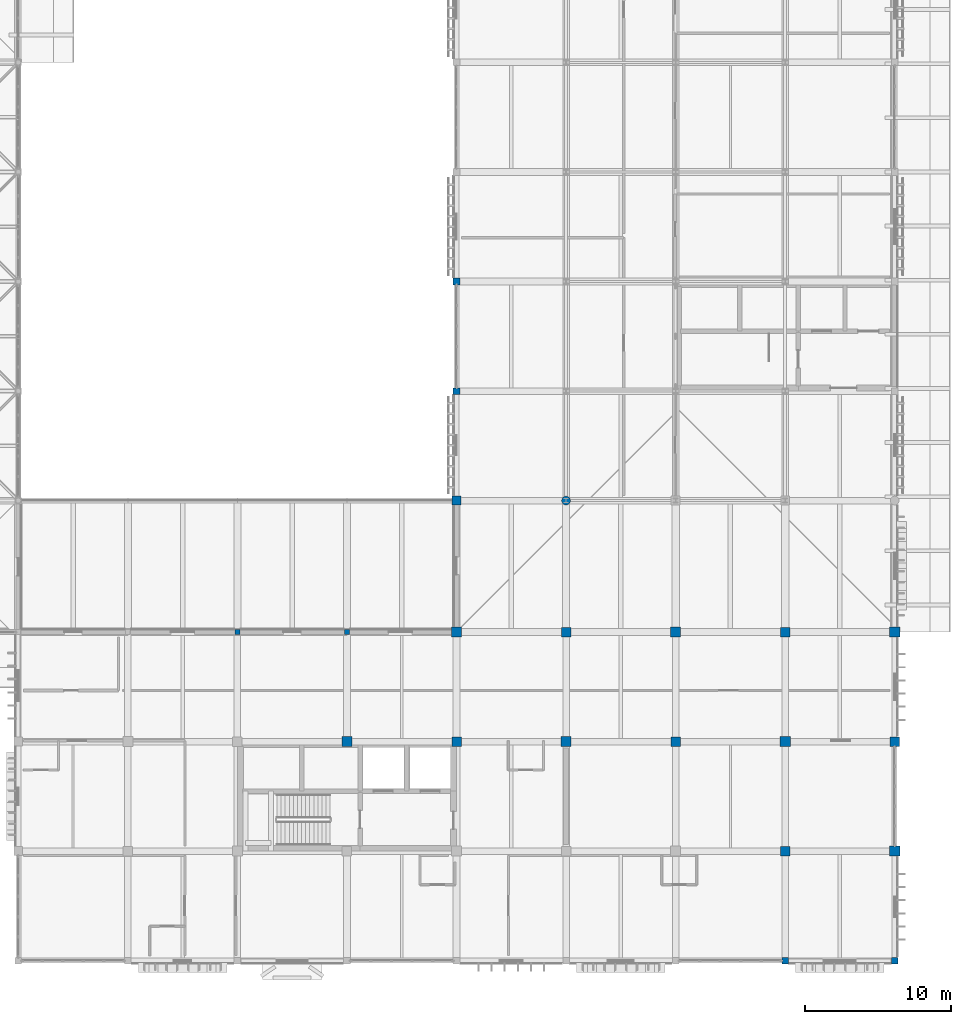
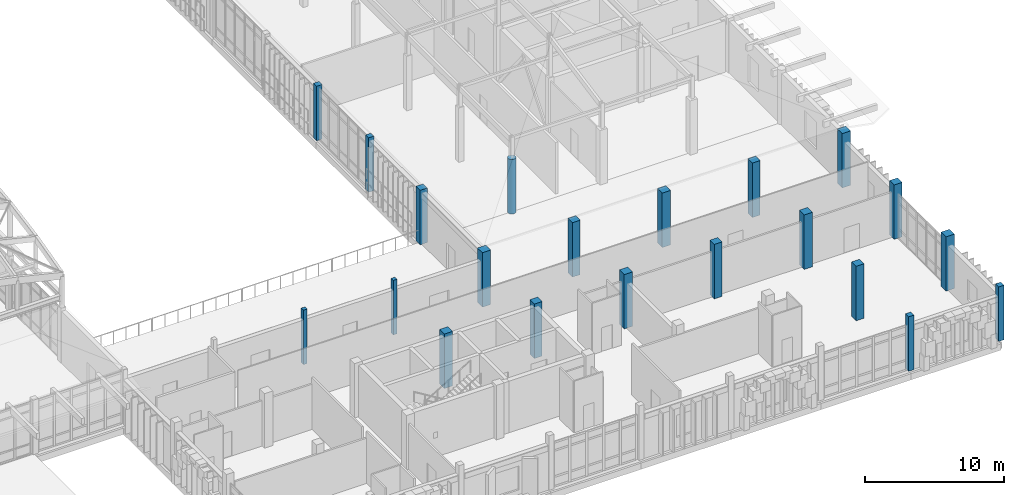
# One storey, part 11 of 131: 21 columns.
"""IFC4 building model written with IfcOpenShell, lengths in metres."""

from ifc_helpers import new_model, si_unit, direction, frame, origin, origin_2d, place, context, subcontext, project, spatial, rectangle, circle, extrude, material, material_profile, profile_set, type_object, element, save


model = new_model("IFC4")

# Units and contexts
model_context = context("Model", 3, precision=1e-05, world=origin(), true_north=direction((0.0, 1.0)))
body_context = subcontext(model_context, "Body", "Model", "MODEL_VIEW")
ifc_project = project(units=[si_unit("LENGTHUNIT", "METRE"), si_unit("AREAUNIT", "SQUARE_METRE"), si_unit("VOLUMEUNIT", "CUBIC_METRE"), si_unit("PLANEANGLEUNIT", "RADIAN"), si_unit("MASSUNIT", "GRAM", prefix="KILO")], contexts=[model_context])

# Site, building, storey
site_placement = place(None, origin())
site = spatial("IfcSite", under=ifc_project, at=site_placement, CompositionType="ELEMENT")
building_placement = place(site_placement, origin())
building = spatial("IfcBuilding", under=site, at=building_placement, Name="Dalvernix Boulevard General Hospital", CompositionType="ELEMENT")
storey_placement = place(building_placement, frame((0.0, 0.0, 9.300048828125)))
storey = spatial("IfcBuildingStorey", under=building, at=storey_placement, Name="L02", CompositionType="ELEMENT", Elevation=9.300048828125)

# Columns
ifc_material_1 = material(Name="Concrete C40/50", Category="concrete")
ifc_material_profile_1 = material_profile(ifc_material_1, rectangle(XDim=0.699951171875, YDim=0.699951171875, at=origin_2d()), Name="RC 700x700")
ifc_profile_set_1 = profile_set([ifc_material_profile_1], Name="Concrete C40/50")
column_type_1 = type_object("IfcColumnType", Name="COL-C-05-E", PredefinedType="COLUMN", material=ifc_profile_set_1)
for number, where, z_axis, x_axis, name in (
    (1, (142.5, 22.5, 0.0), (0.0, 0.0, 1.0), (1.0, 0.0, 0.0), "L02 column 20D"),
    (2, (172.5, 7.5, 0.0), (0.0, 0.0, 1.0), (1.0, 0.0, 0.0), "L02 column 24B"),
    (3, (172.5, 22.5, 0.0), (0.0, 0.0, 1.0), (1.0, 0.0, 0.0), "L02 column 24D"),
):
    element("IfcColumn", number, at=place(storey_placement, frame(where, z_axis=z_axis, x_axis=x_axis)), inside=storey, type_object=column_type_1, Name=name, PredefinedType="COLUMN", context=body_context, shape_type="SweptSolid", body=[
        extrude(rectangle(XDim=0.699951171875, YDim=0.699951171875, at=origin_2d()), origin(), (0.0, 0.0, 1.0), 4.800048828125),
    ])
ifc_material_profile_2 = material_profile(ifc_material_1, rectangle(XDim=0.699951171875, YDim=0.699951171875, at=origin_2d()), Name="RC 700x700")
ifc_profile_set_2 = profile_set([ifc_material_profile_2], Name="Concrete C40/50")
column_type_2 = type_object("IfcColumnType", Name="COL-C-05-I", PredefinedType="COLUMN", material=ifc_profile_set_2)
for number, where, z_axis, x_axis, name in (
    (4, (135.0, 15.0, 0.0), (0.0, 0.0, 1.0), (1.0, 0.0, 0.0), "L02 column 19C"),
    (5, (150.0, 15.0, 0.0), (0.0, 0.0, 1.0), (1.0, 0.0, 0.0), "L02 column 21C"),
    (6, (157.5, 22.5, 0.0), (0.0, 0.0, 1.0), (1.0, 0.0, 0.0), "L02 column 22D"),
    (7, (165.0, 15.0, 0.0), (0.0, 0.0, 1.0), (1.0, 0.0, 0.0), "L02 column 23C"),
):
    element("IfcColumn", number, at=place(storey_placement, frame(where, z_axis=z_axis, x_axis=x_axis)), inside=storey, type_object=column_type_2, Name=name, PredefinedType="COLUMN", context=body_context, shape_type="SweptSolid", body=[
        extrude(rectangle(XDim=0.699951171875, YDim=0.699951171875, at=origin_2d()), origin(), (0.0, 0.0, 1.0), 4.800048828125),
    ])
ifc_material_profile_3 = material_profile(ifc_material_1, rectangle(XDim=0.64990234375, YDim=0.64990234375, at=origin_2d()), Name="RC 650x650")
ifc_profile_set_3 = profile_set([ifc_material_profile_3], Name="Concrete C40/50")
column_type_3 = type_object("IfcColumnType", Name="COL-C-06-E", PredefinedType="COLUMN", material=ifc_profile_set_3)
column_1_placement = place(storey_placement, frame((172.5, 15.0, 0.0), z_axis=(0.0, 0.0, 1.0), x_axis=(1.0, 0.0, 0.0)))
element("IfcColumn", 8, at=column_1_placement, inside=storey, type_object=column_type_3, Name="L02 column 24C", PredefinedType="COLUMN", context=body_context, shape_type="SweptSolid", body=[
    extrude(rectangle(XDim=0.64990234375, YDim=0.64990234375, at=origin_2d()), origin(), (0.0, 0.0, 1.0), 4.800048828125),
])
ifc_material_profile_4 = material_profile(ifc_material_1, rectangle(XDim=0.64990234375, YDim=0.64990234375, at=origin_2d()), Name="RC 650x650")
ifc_profile_set_4 = profile_set([ifc_material_profile_4], Name="Concrete C40/50")
column_type_4 = type_object("IfcColumnType", Name="COL-C-06-I", PredefinedType="COLUMN", material=ifc_profile_set_4)
for number, where, z_axis, x_axis, name in (
    (9, (142.5, 15.0, 0.0), (0.0, 0.0, 1.0), (1.0, 0.0, 0.0), "L02 column 20C"),
    (10, (150.0, 22.5, 0.0), (0.0, 0.0, 1.0), (1.0, 0.0, 0.0), "L02 column 21D"),
    (11, (157.5, 15.0, 0.0), (0.0, 0.0, 1.0), (1.0, 0.0, 0.0), "L02 column 22C"),
    (12, (165.0, 7.5, 0.0), (0.0, 0.0, 1.0), (1.0, 0.0, 0.0), "L02 column 23B"),
    (13, (165.0, 22.5, 0.0), (0.0, 0.0, 1.0), (1.0, 0.0, 0.0), "L02 column 23D"),
):
    element("IfcColumn", number, at=place(storey_placement, frame(where, z_axis=z_axis, x_axis=x_axis)), inside=storey, type_object=column_type_4, Name=name, PredefinedType="COLUMN", context=body_context, shape_type="SweptSolid", body=[
        extrude(rectangle(XDim=0.64990234375, YDim=0.64990234375, at=origin_2d()), origin(), (0.0, 0.0, 1.0), 4.800048828125),
    ])
ifc_material_profile_5 = material_profile(ifc_material_1, rectangle(XDim=0.60009765625, YDim=0.60009765625, at=origin_2d()), Name="RC 600x600")
ifc_profile_set_5 = profile_set([ifc_material_profile_5], Name="Concrete C40/50")
column_type_5 = type_object("IfcColumnType", Name="COL-C-07-E", PredefinedType="COLUMN", material=ifc_profile_set_5)
column_2_placement = place(storey_placement, frame((142.5, 31.5, 0.0), z_axis=(0.0, 0.0, 1.0), x_axis=(1.0, 0.0, 0.0)))
element("IfcColumn", 14, at=column_2_placement, inside=storey, type_object=column_type_5, Name="L02 column 20E", PredefinedType="COLUMN", context=body_context, shape_type="SweptSolid", body=[
    extrude(rectangle(XDim=0.60009765625, YDim=0.60009765625, at=origin_2d()), origin(), (0.0, 0.0, 1.0), 4.800048828125),
])
ifc_material_profile_6 = material_profile(ifc_material_1, rectangle(XDim=0.449951171875, YDim=0.449951171875, at=origin_2d()), Name="RC 450x450")
ifc_profile_set_6 = profile_set([ifc_material_profile_6], Name="Concrete C40/50")
column_type_6 = type_object("IfcColumnType", Name="COL-C-10-E", PredefinedType="COLUMN", material=ifc_profile_set_6)
for number, where, z_axis, x_axis, name in (
    (15, (142.5, 39.0, 0.0), (0.0, 0.0, 1.0), (1.0, 0.0, 0.0), "L02 column 20F"),
    (16, (142.5, 46.5, 0.0), (0.0, 0.0, 1.0), (1.0, 0.0, 0.0), "L02 column 20G"),
    (17, (165.0, 0.0, 0.0), (0.0, 0.0, 1.0), (1.0, 0.0, 0.0), "L02 column 23A"),
    (18, (172.5, 0.0, 0.0), (0.0, 0.0, 1.0), (1.0, 0.0, 0.0), "L02 column 24A"),
):
    element("IfcColumn", number, at=place(storey_placement, frame(where, z_axis=z_axis, x_axis=x_axis)), inside=storey, type_object=column_type_6, Name=name, PredefinedType="COLUMN", context=body_context, shape_type="SweptSolid", body=[
        extrude(rectangle(XDim=0.449951171875, YDim=0.449951171875, at=origin_2d()), origin(), (0.0, 0.0, 1.0), 4.800048828125),
    ])
ifc_material_profile_7 = material_profile(ifc_material_1, circle(Radius=0.300048828125, at=origin_2d()), Name="RC D600")
ifc_profile_set_7 = profile_set([ifc_material_profile_7], Name="Concrete C40/50")
column_type_7 = type_object("IfcColumnType", Name="COL-C-15-I", PredefinedType="COLUMN", material=ifc_profile_set_7)
column_3_placement = place(storey_placement, frame((150.0, 31.5, 0.0), z_axis=(0.0, 0.0, 1.0), x_axis=(1.0, 0.0, 0.0)))
element("IfcColumn", 19, at=column_3_placement, inside=storey, type_object=column_type_7, Name="L02 column 21E", PredefinedType="COLUMN", context=body_context, shape_type="SweptSolid", body=[
    extrude(circle(Radius=0.300048828125, at=origin_2d()), origin(), (0.0, 0.0, 1.0), 4.800048828125),
])
ifc_material_2 = material(Name="Glulam GL28h", Category="wood")
ifc_material_profile_8 = material_profile(ifc_material_2, rectangle(XDim=0.320068359375, YDim=0.320068359375, at=origin_2d()), Name="GL28h 320x320")
ifc_profile_set_8 = profile_set([ifc_material_profile_8], Name="Glulam GL28h")
column_type_8 = type_object("IfcColumnType", Name="COL-C-20-E", PredefinedType="COLUMN", material=ifc_profile_set_8)
for number, where, z_axis, x_axis, name in (
    (20, (127.5, 22.5, 0.0), (0.0, 0.0, 1.0), (1.0, 0.0, 0.0), "L02 column 18D"),
    (21, (135.0, 22.5, 0.0), (0.0, 0.0, 1.0), (1.0, 0.0, 0.0), "L02 column 19D"),
):
    element("IfcColumn", number, at=place(storey_placement, frame(where, z_axis=z_axis, x_axis=x_axis)), inside=storey, type_object=column_type_8, Name=name, PredefinedType="COLUMN", context=body_context, shape_type="SweptSolid", body=[
        extrude(rectangle(XDim=0.320068359375, YDim=0.320068359375, at=origin_2d()), origin(), (0.0, 0.0, 1.0), 4.800048828125),
    ])

save(model, "model.ifc")
